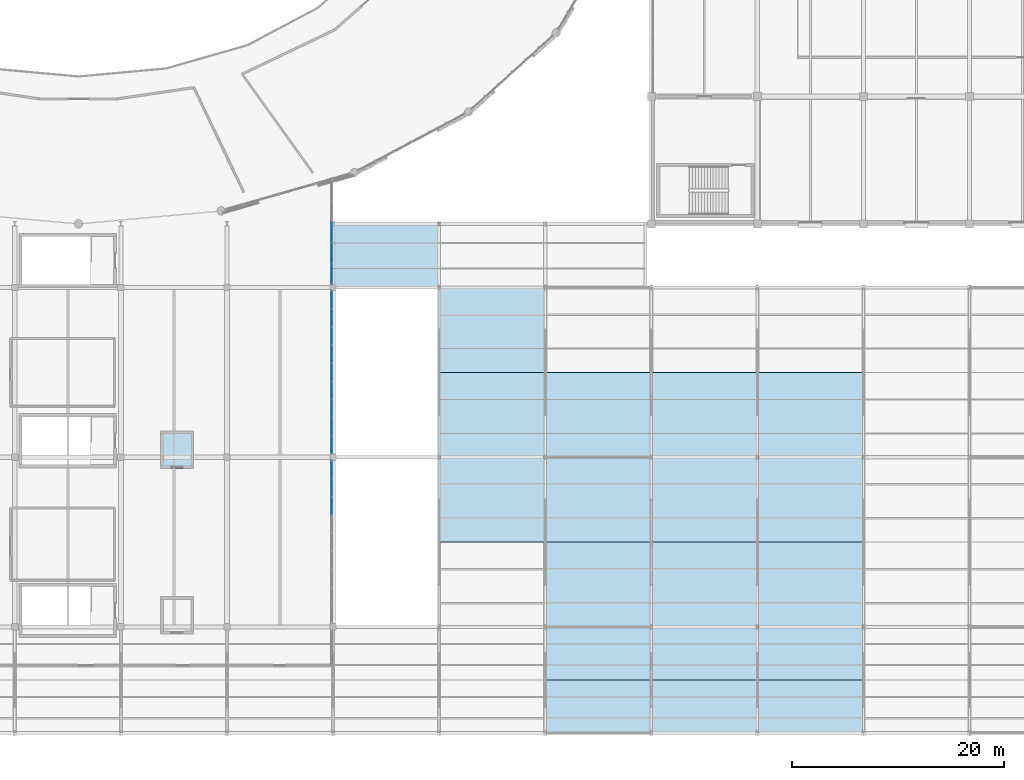
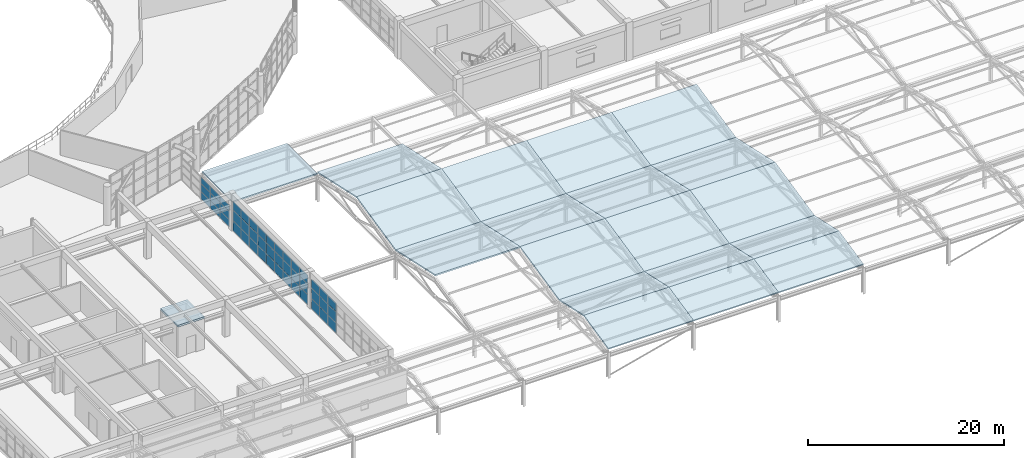
# One storey, part 64 of 109: 45 plates, 20 slabs, 4 elements without a shape of their own.
"""IFC4 building model written with IfcOpenShell, lengths in metres."""

from ifc_helpers import new_model, si_unit, direction, frame, origin, origin_2d, place, context, subcontext, project, spatial, polyline, rectangle, outline, extrude, material, layer, layer_set, type_object, element, aggregate, save


model = new_model("IFC4")

# Units and contexts
model_context = context("Model", 3, precision=1e-05, world=origin(), true_north=direction((0.0, 1.0)))
body_context = subcontext(model_context, "Body", "Model", "MODEL_VIEW")
ifc_project = project(units=[si_unit("LENGTHUNIT", "METRE"), si_unit("AREAUNIT", "SQUARE_METRE"), si_unit("VOLUMEUNIT", "CUBIC_METRE"), si_unit("PLANEANGLEUNIT", "RADIAN"), si_unit("MASSUNIT", "GRAM", prefix="KILO")], contexts=[model_context])

# Site, building, storey
site_placement = place(None, origin())
site = spatial("IfcSite", under=ifc_project, at=site_placement, CompositionType="ELEMENT")
building_placement = place(site_placement, origin())
building = spatial("IfcBuilding", under=site, at=building_placement, Name="Kivolera Central Railway Station", CompositionType="ELEMENT")
storey_placement = place(building_placement, frame((0.0, 0.0, 9.60009765625)))
storey = spatial("IfcBuildingStorey", under=building, at=storey_placement, Name="L02", CompositionType="ELEMENT", Elevation=9.60009765625)

# Curtain wall, plates
ifc_material_1 = material(Name="Anodised aluminium", Category="aluminium")
ifc_layer_1 = layer(ifc_material_1, 0.179931640625, Name="Anodised aluminium")
ifc_layer_set_1 = layer_set([ifc_layer_1], Name="Anodised aluminium")
curtain_wall_type_1 = type_object("IfcCurtainWallType", Name="CW-SYS-18", PredefinedType="NOTDEFINED", material=ifc_layer_set_1)
curtain_wall_1_placement = place(storey_placement, origin())
curtain_wall_1 = element("IfcCurtainWall", 1, at=curtain_wall_1_placement, inside=storey, type_object=curtain_wall_type_1, Name="L02 Curtain Wall CW-L02-BRGE-3", PredefinedType="NOTDEFINED")
ifc_material_2 = material(Name="Double low-E laminated glass", Category="glass")
ifc_layer_2 = layer(ifc_material_2, 0.02587890625, Name="Double low-E laminated glass")
ifc_layer_set_2 = layer_set([ifc_layer_2], Name="Double low-E laminated glass")
plate_type_1 = type_object("IfcPlateType", Name="CWP-GLZ-1", PredefinedType="CURTAIN_PANEL", material=ifc_layer_set_2)
plate_1_placement = place(storey_placement, frame((87.8798828125, 46.820556640625, 0.0478515625), z_axis=(0.0, 0.0, 1.0), x_axis=(0.0, -1.0, 0.0)))
plate_1 = element("IfcPlate", 2, at=plate_1_placement, type_object=plate_type_1, Name="CW-18 panel 1.1", PredefinedType="CURTAIN_PANEL", context=body_context, shape_type="SweptSolid", body=[
    extrude(rectangle(XDim=1.642822265625, YDim=0.02587890625, at=origin_2d()), origin(), (0.0, 0.0, 1.0), 1.263916015625),
])
plate_2_placement = place(storey_placement, frame((87.8798828125, 46.820556640625, 1.347900390625), z_axis=(0.0, 0.0, 1.0), x_axis=(0.0, -1.0, 0.0)))
plate_2 = element("IfcPlate", 3, at=plate_2_placement, type_object=plate_type_1, Name="CW-18 panel 1.2", PredefinedType="CURTAIN_PANEL", context=body_context, shape_type="SweptSolid", body=[
    extrude(rectangle(XDim=1.642822265625, YDim=0.02587890625, at=origin_2d()), origin(), (0.0, 0.0, 1.0), 1.2939453125),
])
plate_3_placement = place(storey_placement, frame((87.8798828125, 46.820556640625, 2.677734375), z_axis=(0.0, 0.0, 1.0), x_axis=(0.0, -1.0, 0.0)))
plate_3 = element("IfcPlate", 4, at=plate_3_placement, type_object=plate_type_1, Name="CW-18 panel 1.3", PredefinedType="CURTAIN_PANEL", context=body_context, shape_type="SweptSolid", body=[
    extrude(rectangle(XDim=1.642822265625, YDim=0.02587890625, at=origin_2d()), origin(), (0.0, 0.0, 1.0), 1.073974609375),
])
plate_4_placement = place(storey_placement, frame((87.8798828125, 45.126708984375, 0.0478515625), z_axis=(0.0, 0.0, 1.0), x_axis=(0.0, -1.0, 0.0)))
plate_4 = element("IfcPlate", 5, at=plate_4_placement, type_object=plate_type_1, Name="CW-18 panel 2.1", PredefinedType="CURTAIN_PANEL", context=body_context, shape_type="SweptSolid", body=[
    extrude(rectangle(XDim=1.6728515625, YDim=0.02587890625, at=origin_2d()), origin(), (0.0, 0.0, 1.0), 1.263916015625),
])
plate_5_placement = place(storey_placement, frame((87.8798828125, 45.126708984375, 1.347900390625), z_axis=(0.0, 0.0, 1.0), x_axis=(0.0, -1.0, 0.0)))
plate_5 = element("IfcPlate", 6, at=plate_5_placement, type_object=plate_type_1, Name="CW-18 panel 2.2", PredefinedType="CURTAIN_PANEL", context=body_context, shape_type="SweptSolid", body=[
    extrude(rectangle(XDim=1.6728515625, YDim=0.02587890625, at=origin_2d()), origin(), (0.0, 0.0, 1.0), 1.2939453125),
])
plate_6_placement = place(storey_placement, frame((87.8798828125, 45.126708984375, 2.677734375), z_axis=(0.0, 0.0, 1.0), x_axis=(0.0, -1.0, 0.0)))
plate_6 = element("IfcPlate", 7, at=plate_6_placement, type_object=plate_type_1, Name="CW-18 panel 2.3", PredefinedType="CURTAIN_PANEL", context=body_context, shape_type="SweptSolid", body=[
    extrude(rectangle(XDim=1.6728515625, YDim=0.02587890625, at=origin_2d()), origin(), (0.0, 0.0, 1.0), 1.073974609375),
])
plate_7_placement = place(storey_placement, frame((87.8798828125, 43.417724609375, 0.0478515625), z_axis=(0.0, 0.0, 1.0), x_axis=(0.0, -1.0, 0.0)))
plate_7 = element("IfcPlate", 8, at=plate_7_placement, type_object=plate_type_1, Name="CW-18 panel 3.1", PredefinedType="CURTAIN_PANEL", context=body_context, shape_type="SweptSolid", body=[
    extrude(rectangle(XDim=1.6728515625, YDim=0.02587890625, at=origin_2d()), origin(), (0.0, 0.0, 1.0), 1.263916015625),
])
plate_8_placement = place(storey_placement, frame((87.8798828125, 43.417724609375, 1.347900390625), z_axis=(0.0, 0.0, 1.0), x_axis=(0.0, -1.0, 0.0)))
plate_8 = element("IfcPlate", 9, at=plate_8_placement, type_object=plate_type_1, Name="CW-18 panel 3.2", PredefinedType="CURTAIN_PANEL", context=body_context, shape_type="SweptSolid", body=[
    extrude(rectangle(XDim=1.6728515625, YDim=0.02587890625, at=origin_2d()), origin(), (0.0, 0.0, 1.0), 1.2939453125),
])
plate_9_placement = place(storey_placement, frame((87.8798828125, 43.417724609375, 2.677734375), z_axis=(0.0, 0.0, 1.0), x_axis=(0.0, -1.0, 0.0)))
plate_9 = element("IfcPlate", 10, at=plate_9_placement, type_object=plate_type_1, Name="CW-18 panel 3.3", PredefinedType="CURTAIN_PANEL", context=body_context, shape_type="SweptSolid", body=[
    extrude(rectangle(XDim=1.6728515625, YDim=0.02587890625, at=origin_2d()), origin(), (0.0, 0.0, 1.0), 1.073974609375),
])
plate_10_placement = place(storey_placement, frame((87.8798828125, 41.708984375, 0.0478515625), z_axis=(0.0, 0.0, 1.0), x_axis=(0.0, -1.0, 0.0)))
plate_10 = element("IfcPlate", 11, at=plate_10_placement, type_object=plate_type_1, Name="CW-18 panel 4.1", PredefinedType="CURTAIN_PANEL", context=body_context, shape_type="SweptSolid", body=[
    extrude(rectangle(XDim=1.6728515625, YDim=0.02587890625, at=origin_2d()), origin(), (0.0, 0.0, 1.0), 1.263916015625),
])
plate_11_placement = place(storey_placement, frame((87.8798828125, 41.708984375, 1.347900390625), z_axis=(0.0, 0.0, 1.0), x_axis=(0.0, -1.0, 0.0)))
plate_11 = element("IfcPlate", 12, at=plate_11_placement, type_object=plate_type_1, Name="CW-18 panel 4.2", PredefinedType="CURTAIN_PANEL", context=body_context, shape_type="SweptSolid", body=[
    extrude(rectangle(XDim=1.6728515625, YDim=0.02587890625, at=origin_2d()), origin(), (0.0, 0.0, 1.0), 1.2939453125),
])
plate_12_placement = place(storey_placement, frame((87.8798828125, 41.708984375, 2.677734375), z_axis=(0.0, 0.0, 1.0), x_axis=(0.0, -1.0, 0.0)))
plate_12 = element("IfcPlate", 13, at=plate_12_placement, type_object=plate_type_1, Name="CW-18 panel 4.3", PredefinedType="CURTAIN_PANEL", context=body_context, shape_type="SweptSolid", body=[
    extrude(rectangle(XDim=1.6728515625, YDim=0.02587890625, at=origin_2d()), origin(), (0.0, 0.0, 1.0), 1.073974609375),
])
plate_13_placement = place(storey_placement, frame((87.8798828125, 40.0, 0.0478515625), z_axis=(0.0, 0.0, 1.0), x_axis=(0.0, -1.0, 0.0)))
plate_13 = element("IfcPlate", 14, at=plate_13_placement, type_object=plate_type_1, Name="CW-18 panel 5.1", PredefinedType="CURTAIN_PANEL", context=body_context, shape_type="SweptSolid", body=[
    extrude(rectangle(XDim=1.6728515625, YDim=0.02587890625, at=origin_2d()), origin(), (0.0, 0.0, 1.0), 1.263916015625),
])
plate_14_placement = place(storey_placement, frame((87.8798828125, 40.0, 1.347900390625), z_axis=(0.0, 0.0, 1.0), x_axis=(0.0, -1.0, 0.0)))
plate_14 = element("IfcPlate", 15, at=plate_14_placement, type_object=plate_type_1, Name="CW-18 panel 5.2", PredefinedType="CURTAIN_PANEL", context=body_context, shape_type="SweptSolid", body=[
    extrude(rectangle(XDim=1.6728515625, YDim=0.02587890625, at=origin_2d()), origin(), (0.0, 0.0, 1.0), 1.2939453125),
])
plate_15_placement = place(storey_placement, frame((87.8798828125, 40.0, 2.677734375), z_axis=(0.0, 0.0, 1.0), x_axis=(0.0, -1.0, 0.0)))
plate_15 = element("IfcPlate", 16, at=plate_15_placement, type_object=plate_type_1, Name="CW-18 panel 5.3", PredefinedType="CURTAIN_PANEL", context=body_context, shape_type="SweptSolid", body=[
    extrude(rectangle(XDim=1.6728515625, YDim=0.02587890625, at=origin_2d()), origin(), (0.0, 0.0, 1.0), 1.073974609375),
])
plate_16_placement = place(storey_placement, frame((87.8798828125, 38.291015625, 0.0478515625), z_axis=(0.0, 0.0, 1.0), x_axis=(0.0, -1.0, 0.0)))
plate_16 = element("IfcPlate", 17, at=plate_16_placement, type_object=plate_type_1, Name="CW-18 panel 6.1", PredefinedType="CURTAIN_PANEL", context=body_context, shape_type="SweptSolid", body=[
    extrude(rectangle(XDim=1.6728515625, YDim=0.02587890625, at=origin_2d()), origin(), (0.0, 0.0, 1.0), 1.263916015625),
])
plate_17_placement = place(storey_placement, frame((87.8798828125, 38.291015625, 1.347900390625), z_axis=(0.0, 0.0, 1.0), x_axis=(0.0, -1.0, 0.0)))
plate_17 = element("IfcPlate", 18, at=plate_17_placement, type_object=plate_type_1, Name="CW-18 panel 6.2", PredefinedType="CURTAIN_PANEL", context=body_context, shape_type="SweptSolid", body=[
    extrude(rectangle(XDim=1.6728515625, YDim=0.02587890625, at=origin_2d()), origin(), (0.0, 0.0, 1.0), 1.2939453125),
])
plate_18_placement = place(storey_placement, frame((87.8798828125, 38.291015625, 2.677734375), z_axis=(0.0, 0.0, 1.0), x_axis=(0.0, -1.0, 0.0)))
plate_18 = element("IfcPlate", 19, at=plate_18_placement, type_object=plate_type_1, Name="CW-18 panel 6.3", PredefinedType="CURTAIN_PANEL", context=body_context, shape_type="SweptSolid", body=[
    extrude(rectangle(XDim=1.6728515625, YDim=0.02587890625, at=origin_2d()), origin(), (0.0, 0.0, 1.0), 1.073974609375),
])
plate_19_placement = place(storey_placement, frame((87.8798828125, 36.582275390625, 0.0478515625), z_axis=(0.0, 0.0, 1.0), x_axis=(0.0, -1.0, 0.0)))
plate_19 = element("IfcPlate", 20, at=plate_19_placement, type_object=plate_type_1, Name="CW-18 panel 7.1", PredefinedType="CURTAIN_PANEL", context=body_context, shape_type="SweptSolid", body=[
    extrude(rectangle(XDim=1.6728515625, YDim=0.02587890625, at=origin_2d()), origin(), (0.0, 0.0, 1.0), 1.263916015625),
])
plate_20_placement = place(storey_placement, frame((87.8798828125, 36.582275390625, 1.347900390625), z_axis=(0.0, 0.0, 1.0), x_axis=(0.0, -1.0, 0.0)))
plate_20 = element("IfcPlate", 21, at=plate_20_placement, type_object=plate_type_1, Name="CW-18 panel 7.2", PredefinedType="CURTAIN_PANEL", context=body_context, shape_type="SweptSolid", body=[
    extrude(rectangle(XDim=1.6728515625, YDim=0.02587890625, at=origin_2d()), origin(), (0.0, 0.0, 1.0), 1.2939453125),
])
plate_21_placement = place(storey_placement, frame((87.8798828125, 36.582275390625, 2.677734375), z_axis=(0.0, 0.0, 1.0), x_axis=(0.0, -1.0, 0.0)))
plate_21 = element("IfcPlate", 22, at=plate_21_placement, type_object=plate_type_1, Name="CW-18 panel 7.3", PredefinedType="CURTAIN_PANEL", context=body_context, shape_type="SweptSolid", body=[
    extrude(rectangle(XDim=1.6728515625, YDim=0.02587890625, at=origin_2d()), origin(), (0.0, 0.0, 1.0), 1.073974609375),
])
plate_22_placement = place(storey_placement, frame((87.8798828125, 34.873291015625, 0.0478515625), z_axis=(0.0, 0.0, 1.0), x_axis=(0.0, -1.0, 0.0)))
plate_22 = element("IfcPlate", 23, at=plate_22_placement, type_object=plate_type_1, Name="CW-18 panel 8.1", PredefinedType="CURTAIN_PANEL", context=body_context, shape_type="SweptSolid", body=[
    extrude(rectangle(XDim=1.6728515625, YDim=0.02587890625, at=origin_2d()), origin(), (0.0, 0.0, 1.0), 1.263916015625),
])
plate_23_placement = place(storey_placement, frame((87.8798828125, 34.873291015625, 1.347900390625), z_axis=(0.0, 0.0, 1.0), x_axis=(0.0, -1.0, 0.0)))
plate_23 = element("IfcPlate", 24, at=plate_23_placement, type_object=plate_type_1, Name="CW-18 panel 8.2", PredefinedType="CURTAIN_PANEL", context=body_context, shape_type="SweptSolid", body=[
    extrude(rectangle(XDim=1.6728515625, YDim=0.02587890625, at=origin_2d()), origin(), (0.0, 0.0, 1.0), 1.2939453125),
])
plate_24_placement = place(storey_placement, frame((87.8798828125, 34.873291015625, 2.677734375), z_axis=(0.0, 0.0, 1.0), x_axis=(0.0, -1.0, 0.0)))
plate_24 = element("IfcPlate", 25, at=plate_24_placement, type_object=plate_type_1, Name="CW-18 panel 8.3", PredefinedType="CURTAIN_PANEL", context=body_context, shape_type="SweptSolid", body=[
    extrude(rectangle(XDim=1.6728515625, YDim=0.02587890625, at=origin_2d()), origin(), (0.0, 0.0, 1.0), 1.073974609375),
])
plate_25_placement = place(storey_placement, frame((87.8798828125, 33.179443359375, 0.0478515625), z_axis=(0.0, 0.0, 1.0), x_axis=(0.0, -1.0, 0.0)))
plate_25 = element("IfcPlate", 26, at=plate_25_placement, type_object=plate_type_1, Name="CW-18 panel 9.1", PredefinedType="CURTAIN_PANEL", context=body_context, shape_type="SweptSolid", body=[
    extrude(rectangle(XDim=1.642822265625, YDim=0.02587890625, at=origin_2d()), origin(), (0.0, 0.0, 1.0), 1.263916015625),
])
plate_26_placement = place(storey_placement, frame((87.8798828125, 33.179443359375, 1.347900390625), z_axis=(0.0, 0.0, 1.0), x_axis=(0.0, -1.0, 0.0)))
plate_26 = element("IfcPlate", 27, at=plate_26_placement, type_object=plate_type_1, Name="CW-18 panel 9.2", PredefinedType="CURTAIN_PANEL", context=body_context, shape_type="SweptSolid", body=[
    extrude(rectangle(XDim=1.642822265625, YDim=0.02587890625, at=origin_2d()), origin(), (0.0, 0.0, 1.0), 1.2939453125),
])
plate_27_placement = place(storey_placement, frame((87.8798828125, 33.179443359375, 2.677734375), z_axis=(0.0, 0.0, 1.0), x_axis=(0.0, -1.0, 0.0)))
plate_27 = element("IfcPlate", 28, at=plate_27_placement, type_object=plate_type_1, Name="CW-18 panel 9.3", PredefinedType="CURTAIN_PANEL", context=body_context, shape_type="SweptSolid", body=[
    extrude(rectangle(XDim=1.642822265625, YDim=0.02587890625, at=origin_2d()), origin(), (0.0, 0.0, 1.0), 1.073974609375),
])
aggregate(curtain_wall_1, [plate_1, plate_2, plate_3, plate_4, plate_5, plate_6, plate_7, plate_8, plate_9, plate_10, plate_11, plate_12, plate_13, plate_14, plate_15, plate_16, plate_17, plate_18, plate_19, plate_20, plate_21, plate_22, plate_23, plate_24, plate_25, plate_26, plate_27])

ifc_layer_3 = layer(ifc_material_1, 0.179931640625, Name="Anodised aluminium")
ifc_layer_set_3 = layer_set([ifc_layer_3], Name="Anodised aluminium")
curtain_wall_type_2 = type_object("IfcCurtainWallType", Name="CW-SYS-20", PredefinedType="NOTDEFINED", material=ifc_layer_set_3)
curtain_wall_2_placement = place(storey_placement, origin())
curtain_wall_2 = element("IfcCurtainWall", 29, at=curtain_wall_2_placement, inside=storey, type_object=curtain_wall_type_2, Name="L02 Curtain Wall CW-L02-BRGE-4", PredefinedType="NOTDEFINED")
ifc_layer_4 = layer(ifc_material_2, 0.030029296875, Name="Double low-E laminated glass")
ifc_layer_set_4 = layer_set([ifc_layer_4], Name="Double low-E laminated glass")
plate_type_2 = type_object("IfcPlateType", Name="CWP-GLZ-2", PredefinedType="CURTAIN_PANEL", material=ifc_layer_set_4)
plate_28_placement = place(storey_placement, frame((87.8798828125, 53.195068359375, 0.0478515625), z_axis=(0.0, 0.0, 1.0), x_axis=(0.0, -1.0, 0.0)))
plate_28 = element("IfcPlate", 30, at=plate_28_placement, type_object=plate_type_2, Name="CW-20 panel 3.1", PredefinedType="CURTAIN_PANEL", context=body_context, shape_type="SweptSolid", body=[
    extrude(rectangle(XDim=1.91796875, YDim=0.030029296875, at=origin_2d()), origin(), (0.0, 0.0, 1.0), 0.9208984375),
])
plate_29_placement = place(storey_placement, frame((87.8798828125, 53.195068359375, 1.0048828125), z_axis=(0.0, 0.0, 1.0), x_axis=(0.0, -1.0, 0.0)))
plate_29 = element("IfcPlate", 31, at=plate_29_placement, type_object=plate_type_2, Name="CW-20 panel 3.2", PredefinedType="CURTAIN_PANEL", context=body_context, shape_type="SweptSolid", body=[
    extrude(rectangle(XDim=1.91796875, YDim=0.030029296875, at=origin_2d()), origin(), (0.0, 0.0, 1.0), 0.950927734375),
])
plate_30_placement = place(storey_placement, frame((87.8798828125, 53.195068359375, 1.99169921875), z_axis=(0.0, 0.0, 1.0), x_axis=(0.0, -1.0, 0.0)))
plate_30 = element("IfcPlate", 32, at=plate_30_placement, type_object=plate_type_2, Name="CW-20 panel 3.3", PredefinedType="CURTAIN_PANEL", context=body_context, shape_type="SweptSolid", body=[
    extrude(rectangle(XDim=1.91796875, YDim=0.030029296875, at=origin_2d()), origin(), (0.0, 0.0, 1.0), 0.780029296875),
])
plate_31_placement = place(storey_placement, frame((87.8798828125, 51.240966796875, 0.0478515625), z_axis=(0.0, 0.0, 1.0), x_axis=(0.0, -1.0, 0.0)))
plate_31 = element("IfcPlate", 33, at=plate_31_placement, type_object=plate_type_2, Name="CW-20 panel 4.1", PredefinedType="CURTAIN_PANEL", context=body_context, shape_type="SweptSolid", body=[
    extrude(rectangle(XDim=1.91796875, YDim=0.030029296875, at=origin_2d()), origin(), (0.0, 0.0, 1.0), 0.9208984375),
])
plate_32_placement = place(storey_placement, frame((87.8798828125, 51.240966796875, 1.0048828125), z_axis=(0.0, 0.0, 1.0), x_axis=(0.0, -1.0, 0.0)))
plate_32 = element("IfcPlate", 34, at=plate_32_placement, type_object=plate_type_2, Name="CW-20 panel 4.2", PredefinedType="CURTAIN_PANEL", context=body_context, shape_type="SweptSolid", body=[
    extrude(rectangle(XDim=1.91796875, YDim=0.030029296875, at=origin_2d()), origin(), (0.0, 0.0, 1.0), 0.950927734375),
])
plate_33_placement = place(storey_placement, frame((87.8798828125, 51.240966796875, 1.99169921875), z_axis=(0.0, 0.0, 1.0), x_axis=(0.0, -1.0, 0.0)))
plate_33 = element("IfcPlate", 35, at=plate_33_placement, type_object=plate_type_2, Name="CW-20 panel 4.3", PredefinedType="CURTAIN_PANEL", context=body_context, shape_type="SweptSolid", body=[
    extrude(rectangle(XDim=1.91796875, YDim=0.030029296875, at=origin_2d()), origin(), (0.0, 0.0, 1.0), 0.780029296875),
])
plate_34_placement = place(storey_placement, frame((87.8798828125, 49.302001953125, 0.0478515625), z_axis=(0.0, 0.0, 1.0), x_axis=(0.0, -1.0, 0.0)))
plate_34 = element("IfcPlate", 36, at=plate_34_placement, type_object=plate_type_2, Name="CW-20 panel 5.1", PredefinedType="CURTAIN_PANEL", context=body_context, shape_type="SweptSolid", body=[
    extrude(rectangle(XDim=1.887939453125, YDim=0.030029296875, at=origin_2d()), origin(), (0.0, 0.0, 1.0), 0.9208984375),
])
plate_35_placement = place(storey_placement, frame((87.8798828125, 49.302001953125, 1.0048828125), z_axis=(0.0, 0.0, 1.0), x_axis=(0.0, -1.0, 0.0)))
plate_35 = element("IfcPlate", 37, at=plate_35_placement, type_object=plate_type_2, Name="CW-20 panel 5.2", PredefinedType="CURTAIN_PANEL", context=body_context, shape_type="SweptSolid", body=[
    extrude(rectangle(XDim=1.887939453125, YDim=0.030029296875, at=origin_2d()), origin(), (0.0, 0.0, 1.0), 0.950927734375),
])
plate_36_placement = place(storey_placement, frame((87.8798828125, 49.302001953125, 1.99169921875), z_axis=(0.0, 0.0, 1.0), x_axis=(0.0, -1.0, 0.0)))
plate_36 = element("IfcPlate", 38, at=plate_36_placement, type_object=plate_type_2, Name="CW-20 panel 5.3", PredefinedType="CURTAIN_PANEL", context=body_context, shape_type="SweptSolid", body=[
    extrude(rectangle(XDim=1.887939453125, YDim=0.030029296875, at=origin_2d()), origin(), (0.0, 0.0, 1.0), 0.780029296875),
])
aggregate(curtain_wall_2, [plate_28, plate_29, plate_30, plate_31, plate_32, plate_33, plate_34, plate_35, plate_36])

curtain_wall_3_placement = place(storey_placement, origin())
curtain_wall_3 = element("IfcCurtainWall", 39, at=curtain_wall_3_placement, inside=storey, type_object=curtain_wall_type_1, Name="L02 Curtain Wall CW-L02-BRGE-2", PredefinedType="NOTDEFINED")
ifc_layer_5 = layer(ifc_material_2, 0.0419921875, Name="Double low-E laminated glass")
ifc_layer_set_5 = layer_set([ifc_layer_5], Name="Double low-E laminated glass")
plate_type_3 = type_object("IfcPlateType", Name="CWP-GLZ-5", PredefinedType="CURTAIN_PANEL", material=ifc_layer_set_5)
plate_37_placement = place(storey_placement, frame((87.8798828125, 30.820556640625, 0.0478515625), z_axis=(0.0, 0.0, 1.0), x_axis=(0.0, -1.0, 0.0)))
plate_37 = element("IfcPlate", 40, at=plate_37_placement, type_object=plate_type_3, Name="CW-18 panel 1.1", PredefinedType="CURTAIN_PANEL", context=body_context, shape_type="SweptSolid", body=[
    extrude(rectangle(XDim=1.642822265625, YDim=0.0419921875, at=origin_2d()), origin(), (0.0, 0.0, 1.0), 1.263916015625),
])
plate_38_placement = place(storey_placement, frame((87.8798828125, 30.820556640625, 1.347900390625), z_axis=(0.0, 0.0, 1.0), x_axis=(0.0, -1.0, 0.0)))
plate_38 = element("IfcPlate", 41, at=plate_38_placement, type_object=plate_type_3, Name="CW-18 panel 1.2", PredefinedType="CURTAIN_PANEL", context=body_context, shape_type="SweptSolid", body=[
    extrude(rectangle(XDim=1.642822265625, YDim=0.0419921875, at=origin_2d()), origin(), (0.0, 0.0, 1.0), 1.2939453125),
])
plate_39_placement = place(storey_placement, frame((87.8798828125, 30.820556640625, 2.677734375), z_axis=(0.0, 0.0, 1.0), x_axis=(0.0, -1.0, 0.0)))
plate_39 = element("IfcPlate", 42, at=plate_39_placement, type_object=plate_type_3, Name="CW-18 panel 1.3", PredefinedType="CURTAIN_PANEL", context=body_context, shape_type="SweptSolid", body=[
    extrude(rectangle(XDim=1.642822265625, YDim=0.0419921875, at=origin_2d()), origin(), (0.0, 0.0, 1.0), 1.073974609375),
])
plate_40_placement = place(storey_placement, frame((87.8798828125, 29.126708984375, 0.0478515625), z_axis=(0.0, 0.0, 1.0), x_axis=(0.0, -1.0, 0.0)))
plate_40 = element("IfcPlate", 43, at=plate_40_placement, type_object=plate_type_3, Name="CW-18 panel 2.1", PredefinedType="CURTAIN_PANEL", context=body_context, shape_type="SweptSolid", body=[
    extrude(rectangle(XDim=1.6728515625, YDim=0.0419921875, at=origin_2d()), origin(), (0.0, 0.0, 1.0), 1.263916015625),
])
plate_41_placement = place(storey_placement, frame((87.8798828125, 29.126708984375, 1.347900390625), z_axis=(0.0, 0.0, 1.0), x_axis=(0.0, -1.0, 0.0)))
plate_41 = element("IfcPlate", 44, at=plate_41_placement, type_object=plate_type_3, Name="CW-18 panel 2.2", PredefinedType="CURTAIN_PANEL", context=body_context, shape_type="SweptSolid", body=[
    extrude(rectangle(XDim=1.6728515625, YDim=0.0419921875, at=origin_2d()), origin(), (0.0, 0.0, 1.0), 1.2939453125),
])
plate_42_placement = place(storey_placement, frame((87.8798828125, 29.126708984375, 2.677734375), z_axis=(0.0, 0.0, 1.0), x_axis=(0.0, -1.0, 0.0)))
plate_42 = element("IfcPlate", 45, at=plate_42_placement, type_object=plate_type_3, Name="CW-18 panel 2.3", PredefinedType="CURTAIN_PANEL", context=body_context, shape_type="SweptSolid", body=[
    extrude(rectangle(XDim=1.6728515625, YDim=0.0419921875, at=origin_2d()), origin(), (0.0, 0.0, 1.0), 1.073974609375),
])
plate_43_placement = place(storey_placement, frame((87.8798828125, 27.417724609375, 0.0478515625), z_axis=(0.0, 0.0, 1.0), x_axis=(0.0, -1.0, 0.0)))
plate_43 = element("IfcPlate", 46, at=plate_43_placement, type_object=plate_type_3, Name="CW-18 panel 3.1", PredefinedType="CURTAIN_PANEL", context=body_context, shape_type="SweptSolid", body=[
    extrude(rectangle(XDim=1.6728515625, YDim=0.0419921875, at=origin_2d()), origin(), (0.0, 0.0, 1.0), 1.263916015625),
])
plate_44_placement = place(storey_placement, frame((87.8798828125, 27.417724609375, 1.347900390625), z_axis=(0.0, 0.0, 1.0), x_axis=(0.0, -1.0, 0.0)))
plate_44 = element("IfcPlate", 47, at=plate_44_placement, type_object=plate_type_3, Name="CW-18 panel 3.2", PredefinedType="CURTAIN_PANEL", context=body_context, shape_type="SweptSolid", body=[
    extrude(rectangle(XDim=1.6728515625, YDim=0.0419921875, at=origin_2d()), origin(), (0.0, 0.0, 1.0), 1.2939453125),
])
plate_45_placement = place(storey_placement, frame((87.8798828125, 27.417724609375, 2.677734375), z_axis=(0.0, 0.0, 1.0), x_axis=(0.0, -1.0, 0.0)))
plate_45 = element("IfcPlate", 48, at=plate_45_placement, type_object=plate_type_3, Name="CW-18 panel 3.3", PredefinedType="CURTAIN_PANEL", context=body_context, shape_type="SweptSolid", body=[
    extrude(rectangle(XDim=1.6728515625, YDim=0.0419921875, at=origin_2d()), origin(), (0.0, 0.0, 1.0), 1.073974609375),
])
aggregate(curtain_wall_3, [plate_37, plate_38, plate_39, plate_40, plate_41, plate_42, plate_43, plate_44, plate_45])

# Slab
ifc_material_3 = material(Name="Concrete C40/50", Category="concrete")
ifc_layer_6 = layer(ifc_material_3, 0.22998046875, Name="Concrete C40/50")
ifc_layer_set_6 = layer_set([ifc_layer_6], Name="Concrete C40/50")
slab_type_1 = type_object("IfcSlabType", Name="SLB-FLR-230", PredefinedType="FLOOR", material=ifc_layer_set_6)
slab_1_placement = place(storey_placement, frame((0.0, 0.0, 3.7998046875)))
element("IfcSlab", 49, at=slab_1_placement, inside=storey, type_object=slab_type_1, Name="L02 Lift PL4 Shaft Overrun Cap Slab", PredefinedType="FLOOR", context=body_context, shape_type="SweptSolid", body=[
    extrude(outline(polyline([(71.739990234375, 30.93994140625), (74.860107421875, 30.93994140625), (74.860107421875, 34.4599609375), (71.739990234375, 34.4599609375), (71.739990234375, 30.93994140625)])), origin(), (0.0, 0.0, 1.0), 0.22998046875),
])

# Roof, slabs
ifc_material_4 = material(Name="Steel S355", Category="steel")
roof_type = type_object("IfcRoofType", Name="ROOF-SYS-1", PredefinedType="GABLE_ROOF", material=ifc_material_4)
roof_placement = place(storey_placement, origin())
roof = element("IfcRoof", 50, at=roof_placement, inside=storey, type_object=roof_type, Name="Southern Through-Platform Dual-Pitch Steel Train-Shed Roof", PredefinedType="GABLE_ROOF")
ifc_material_5 = material(Name="Precast concrete C40/50", Category="concrete")
ifc_layer_7 = layer(ifc_material_5, 0.159912109375, Name="Precast concrete C40/50")
ifc_layer_set_7 = layer_set([ifc_layer_7], Name="Precast concrete C40/50")
slab_type_2 = type_object("IfcSlabType", Name="SLB-SHED-160", PredefinedType="ROOF", material=ifc_layer_set_7)
slab_2_placement = place(storey_placement, frame((98.0, 24.0, 5.35986328125), z_axis=(0.0, 0.214862919829, 0.97664421653), x_axis=(1.0, 0.0, 0.0)))
slab_2 = element("IfcSlab", 51, at=slab_2_placement, type_object=slab_type_2, Name="Train Shed Sloped Roof Panel BC-10N", PredefinedType="ROOF", context=body_context, shape_type="SweptSolid", body=[
    extrude(outline(polyline([(0.0, 0.0), (10.0, 0.0), (10.0, 8.19131456941408), (0.0, 8.19131456941408), (0.0, 0.0)])), origin(), (0.0, 0.0, -1.0), 0.159912109375),
])
slab_3_placement = place(storey_placement, frame((98.0, 32.0, 3.599853515625), z_axis=(0.0, -0.214862919829, 0.97664421653), x_axis=(1.0, 0.0, 0.0)))
slab_3 = element("IfcSlab", 52, at=slab_3_placement, type_object=slab_type_2, Name="Train Shed Sloped Roof Panel CD-10S", PredefinedType="ROOF", context=body_context, shape_type="SweptSolid", body=[
    extrude(outline(polyline([(0.0, 0.0), (10.0, 0.0), (10.0, 8.19131456941408), (0.0, 8.19131456941408), (0.0, 0.0)])), origin(), (0.0, 0.0, -1.0), 0.159912109375),
])
slab_4_placement = place(storey_placement, frame((98.0, 40.0, 5.35986328125), z_axis=(0.0, 0.214862919829, 0.97664421653), x_axis=(1.0, 0.0, 0.0)))
slab_4 = element("IfcSlab", 53, at=slab_4_placement, type_object=slab_type_2, Name="Train Shed Sloped Roof Panel CD-10N", PredefinedType="ROOF", context=body_context, shape_type="SweptSolid", body=[
    extrude(outline(polyline([(0.0, 0.0), (10.0, 0.0), (10.0, 8.19131456941408), (0.0, 8.19131456941408), (0.0, 0.0)])), origin(), (0.0, 0.0, -1.0), 0.159912109375),
])
slab_5_placement = place(storey_placement, frame((108.0, 6.0, 3.599853515625), z_axis=(0.0, -0.214879977038, 0.976640463768), x_axis=(1.0, 0.0, 0.0)))
slab_5 = element("IfcSlab", 54, at=slab_5_placement, type_object=slab_type_2, Name="Train Shed Sloped Roof Panel AB-11S", PredefinedType="ROOF", context=body_context, shape_type="SweptSolid", body=[
    extrude(outline(polyline([(0.0, 0.0), (10.0, 0.0), (10.0, 5.119591277952445), (0.0, 5.119591277952445), (0.0, 0.0)])), origin(), (0.0, 0.0, -1.0), 0.159912109375),
])
slab_6_placement = place(storey_placement, frame((108.0, 11.0, 4.699951171875), z_axis=(0.0, 0.214879977038, 0.976640463768), x_axis=(1.0, 0.0, 0.0)))
slab_6 = element("IfcSlab", 55, at=slab_6_placement, type_object=slab_type_2, Name="Train Shed Sloped Roof Panel AB-11N", PredefinedType="ROOF", context=body_context, shape_type="SweptSolid", body=[
    extrude(outline(polyline([(0.0, 0.0), (10.0, 0.0), (10.0, 5.119591277952445), (0.0, 5.119591277952445), (0.0, 0.0)])), origin(), (0.0, 0.0, -1.0), 0.159912109375),
])
slab_7_placement = place(storey_placement, frame((108.0, 16.0, 3.599853515625), z_axis=(0.0, -0.214862919829, 0.97664421653), x_axis=(1.0, 0.0, 0.0)))
slab_7 = element("IfcSlab", 56, at=slab_7_placement, type_object=slab_type_2, Name="Train Shed Sloped Roof Panel BC-11S", PredefinedType="ROOF", context=body_context, shape_type="SweptSolid", body=[
    extrude(outline(polyline([(0.0, 0.0), (10.0, 0.0), (10.0, 8.19131456941408), (0.0, 8.19131456941408), (0.0, 0.0)])), origin(), (0.0, 0.0, -1.0), 0.159912109375),
])
slab_8_placement = place(storey_placement, frame((108.0, 24.0, 5.35986328125), z_axis=(0.0, 0.214862919829, 0.97664421653), x_axis=(1.0, 0.0, 0.0)))
slab_8 = element("IfcSlab", 57, at=slab_8_placement, type_object=slab_type_2, Name="Train Shed Sloped Roof Panel BC-11N", PredefinedType="ROOF", context=body_context, shape_type="SweptSolid", body=[
    extrude(outline(polyline([(0.0, 0.0), (10.0, 0.0), (10.0, 8.19131456941408), (0.0, 8.19131456941408), (0.0, 0.0)])), origin(), (0.0, 0.0, -1.0), 0.159912109375),
])
slab_9_placement = place(storey_placement, frame((108.0, 32.0, 3.599853515625), z_axis=(0.0, -0.214862919829, 0.97664421653), x_axis=(1.0, 0.0, 0.0)))
slab_9 = element("IfcSlab", 58, at=slab_9_placement, type_object=slab_type_2, Name="Train Shed Sloped Roof Panel CD-11S", PredefinedType="ROOF", context=body_context, shape_type="SweptSolid", body=[
    extrude(outline(polyline([(0.0, 0.0), (10.0, 0.0), (10.0, 8.19131456941408), (0.0, 8.19131456941408), (0.0, 0.0)])), origin(), (0.0, 0.0, -1.0), 0.159912109375),
])
slab_10_placement = place(storey_placement, frame((118.0, 6.0, 3.599853515625), z_axis=(0.0, -0.214879977038, 0.976640463768), x_axis=(1.0, 0.0, 0.0)))
slab_10 = element("IfcSlab", 59, at=slab_10_placement, type_object=slab_type_2, Name="Train Shed Sloped Roof Panel AB-12S", PredefinedType="ROOF", context=body_context, shape_type="SweptSolid", body=[
    extrude(outline(polyline([(0.0, 0.0), (10.0, 0.0), (10.0, 5.119591277952445), (0.0, 5.119591277952445), (0.0, 0.0)])), origin(), (0.0, 0.0, -1.0), 0.159912109375),
])
slab_11_placement = place(storey_placement, frame((118.0, 11.0, 4.699951171875), z_axis=(0.0, 0.214879977038, 0.976640463768), x_axis=(1.0, 0.0, 0.0)))
slab_11 = element("IfcSlab", 60, at=slab_11_placement, type_object=slab_type_2, Name="Train Shed Sloped Roof Panel AB-12N", PredefinedType="ROOF", context=body_context, shape_type="SweptSolid", body=[
    extrude(outline(polyline([(0.0, 0.0), (10.0, 0.0), (10.0, 5.119591277952445), (0.0, 5.119591277952445), (0.0, 0.0)])), origin(), (0.0, 0.0, -1.0), 0.159912109375),
])
slab_12_placement = place(storey_placement, frame((118.0, 16.0, 3.599853515625), z_axis=(0.0, -0.214862919829, 0.97664421653), x_axis=(1.0, 0.0, 0.0)))
slab_12 = element("IfcSlab", 61, at=slab_12_placement, type_object=slab_type_2, Name="Train Shed Sloped Roof Panel BC-12S", PredefinedType="ROOF", context=body_context, shape_type="SweptSolid", body=[
    extrude(outline(polyline([(0.0, 0.0), (10.0, 0.0), (10.0, 8.19131456941408), (0.0, 8.19131456941408), (0.0, 0.0)])), origin(), (0.0, 0.0, -1.0), 0.159912109375),
])
slab_13_placement = place(storey_placement, frame((118.0, 24.0, 5.35986328125), z_axis=(0.0, 0.214862919829, 0.97664421653), x_axis=(1.0, 0.0, 0.0)))
slab_13 = element("IfcSlab", 62, at=slab_13_placement, type_object=slab_type_2, Name="Train Shed Sloped Roof Panel BC-12N", PredefinedType="ROOF", context=body_context, shape_type="SweptSolid", body=[
    extrude(outline(polyline([(0.0, 0.0), (10.0, 0.0), (10.0, 8.19131456941408), (0.0, 8.19131456941408), (0.0, 0.0)])), origin(), (0.0, 0.0, -1.0), 0.159912109375),
])
slab_14_placement = place(storey_placement, frame((118.0, 32.0, 3.599853515625), z_axis=(0.0, -0.214862919829, 0.97664421653), x_axis=(1.0, 0.0, 0.0)))
slab_14 = element("IfcSlab", 63, at=slab_14_placement, type_object=slab_type_2, Name="Train Shed Sloped Roof Panel CD-12S", PredefinedType="ROOF", context=body_context, shape_type="SweptSolid", body=[
    extrude(outline(polyline([(0.0, 0.0), (10.0, 0.0), (10.0, 8.19131456941408), (0.0, 8.19131456941408), (0.0, 0.0)])), origin(), (0.0, 0.0, -1.0), 0.159912109375),
])
slab_15_placement = place(storey_placement, frame((128.0, 6.0, 3.599853515625), z_axis=(0.0, -0.214879977038, 0.976640463768), x_axis=(1.0, 0.0, 0.0)))
slab_15 = element("IfcSlab", 64, at=slab_15_placement, type_object=slab_type_2, Name="Train Shed Sloped Roof Panel AB-13S", PredefinedType="ROOF", context=body_context, shape_type="SweptSolid", body=[
    extrude(outline(polyline([(0.0, 0.0), (10.0, 0.0), (10.0, 5.119591277952445), (0.0, 5.119591277952445), (0.0, 0.0)])), origin(), (0.0, 0.0, -1.0), 0.159912109375),
])
slab_16_placement = place(storey_placement, frame((128.0, 11.0, 4.699951171875), z_axis=(0.0, 0.214879977038, 0.976640463768), x_axis=(1.0, 0.0, 0.0)))
slab_16 = element("IfcSlab", 65, at=slab_16_placement, type_object=slab_type_2, Name="Train Shed Sloped Roof Panel AB-13N", PredefinedType="ROOF", context=body_context, shape_type="SweptSolid", body=[
    extrude(outline(polyline([(0.0, 0.0), (10.0, 0.0), (10.0, 5.119591277952445), (0.0, 5.119591277952445), (0.0, 0.0)])), origin(), (0.0, 0.0, -1.0), 0.159912109375),
])
slab_17_placement = place(storey_placement, frame((128.0, 16.0, 3.599853515625), z_axis=(0.0, -0.214862919829, 0.97664421653), x_axis=(1.0, 0.0, 0.0)))
slab_17 = element("IfcSlab", 66, at=slab_17_placement, type_object=slab_type_2, Name="Train Shed Sloped Roof Panel BC-13S", PredefinedType="ROOF", context=body_context, shape_type="SweptSolid", body=[
    extrude(outline(polyline([(0.0, 0.0), (10.0, 0.0), (10.0, 8.19131456941408), (0.0, 8.19131456941408), (0.0, 0.0)])), origin(), (0.0, 0.0, -1.0), 0.159912109375),
])
slab_18_placement = place(storey_placement, frame((128.0, 24.0, 5.35986328125), z_axis=(0.0, 0.214862919829, 0.97664421653), x_axis=(1.0, 0.0, 0.0)))
slab_18 = element("IfcSlab", 67, at=slab_18_placement, type_object=slab_type_2, Name="Train Shed Sloped Roof Panel BC-13N", PredefinedType="ROOF", context=body_context, shape_type="SweptSolid", body=[
    extrude(outline(polyline([(0.0, 0.0), (10.0, 0.0), (10.0, 8.19131456941408), (0.0, 8.19131456941408), (0.0, 0.0)])), origin(), (0.0, 0.0, -1.0), 0.159912109375),
])
slab_19_placement = place(storey_placement, frame((128.0, 32.0, 3.599853515625), z_axis=(0.0, -0.214862919829, 0.97664421653), x_axis=(1.0, 0.0, 0.0)))
slab_19 = element("IfcSlab", 68, at=slab_19_placement, type_object=slab_type_2, Name="Train Shed Sloped Roof Panel CD-13S", PredefinedType="ROOF", context=body_context, shape_type="SweptSolid", body=[
    extrude(outline(polyline([(0.0, 0.0), (10.0, 0.0), (10.0, 8.19131456941408), (0.0, 8.19131456941408), (0.0, 0.0)])), origin(), (0.0, 0.0, -1.0), 0.159912109375),
])
slab_20_placement = place(storey_placement, frame((88.0, 48.0, 3.411865234375), z_axis=(0.0, -0.002262796906, 0.999997439872), x_axis=(1.0, 0.0, 0.0)))
slab_20 = element("IfcSlab", 69, at=slab_20_placement, type_object=slab_type_2, Name="Train Shed Threshold Canopy Roof Panel DE-09", PredefinedType="ROOF", context=body_context, shape_type="SweptSolid", body=[
    extrude(outline(polyline([(0.0, 0.0), (10.0, 0.0), (10.0, 6.1499180883287075), (0.0, 6.1499180883287075), (0.0, 0.0)])), origin(), (0.0, 0.0, -1.0), 0.159912109375),
])
aggregate(roof, [slab_2, slab_3, slab_4, slab_5, slab_6, slab_7, slab_8, slab_9, slab_10, slab_11, slab_12, slab_13, slab_14, slab_15, slab_16, slab_17, slab_18, slab_19, slab_20])

save(model, "model.ifc")
